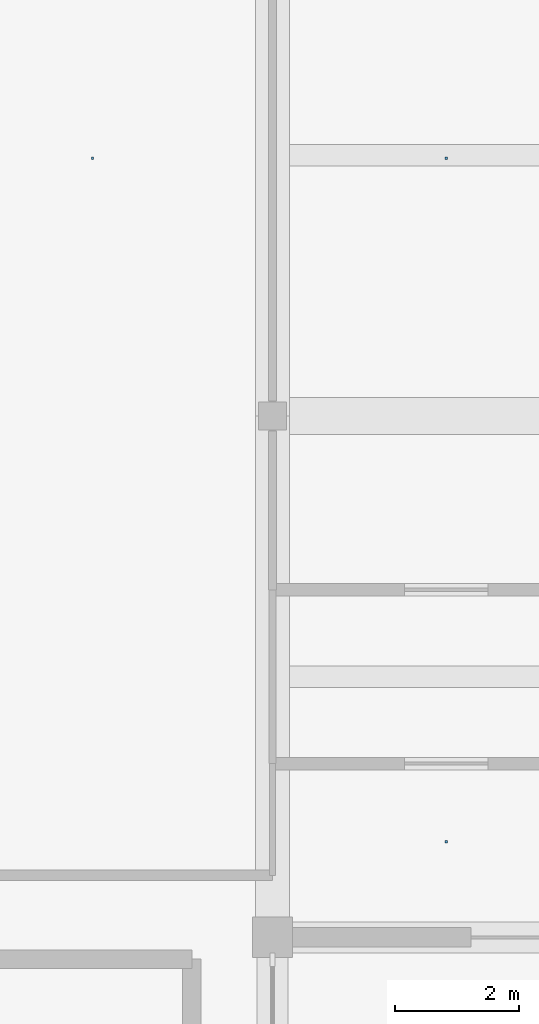
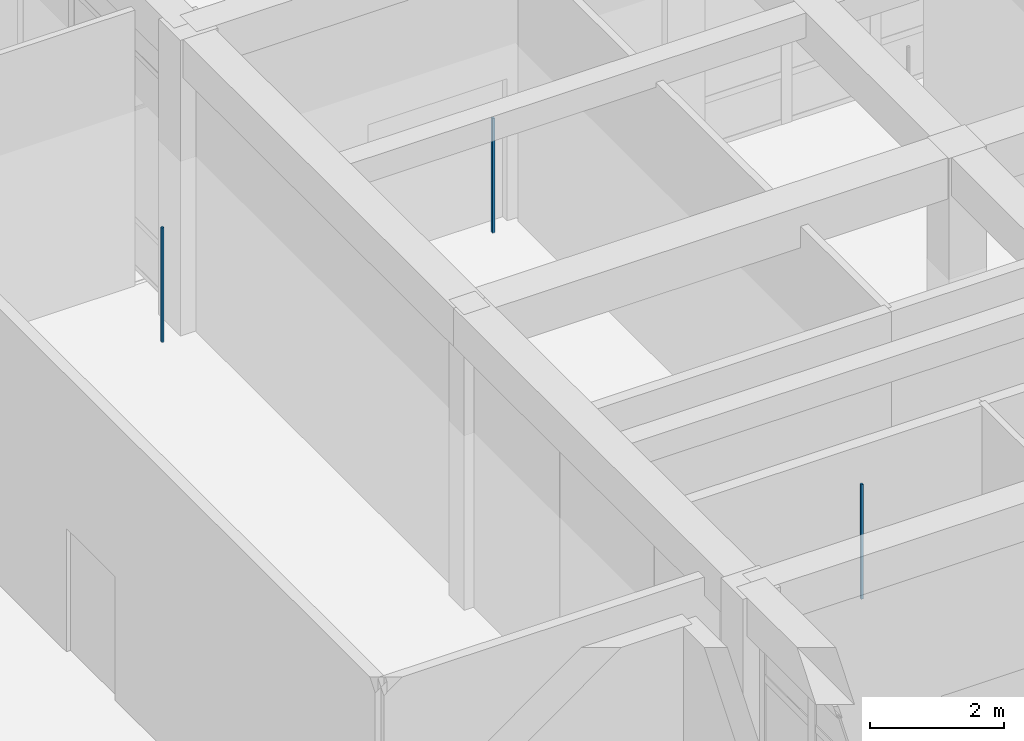
# One storey, part 92 of 167: 3 discrete accessories.
"""IFC4 building model written with IfcOpenShell, lengths in metres."""

from ifc_helpers import new_model, si_unit, direction, frame, origin, origin_2d, place, context, subcontext, project, spatial, rectangle, extrude, material, type_object, element, save


model = new_model("IFC4")

# Units and contexts
model_context = context("Model", 3, precision=1e-05, world=origin(), true_north=direction((0.0, 1.0)))
body_context = subcontext(model_context, "Body", "Model", "MODEL_VIEW")
ifc_project = project(units=[si_unit("LENGTHUNIT", "METRE"), si_unit("AREAUNIT", "SQUARE_METRE"), si_unit("VOLUMEUNIT", "CUBIC_METRE"), si_unit("PLANEANGLEUNIT", "RADIAN"), si_unit("MASSUNIT", "GRAM", prefix="KILO")], contexts=[model_context])

# Site, building, storey
site_placement = place(None, origin())
site = spatial("IfcSite", under=ifc_project, at=site_placement, CompositionType="ELEMENT")
building_placement = place(site_placement, origin())
building = spatial("IfcBuilding", under=site, at=building_placement, Name="Varncliffe General Hospital", CompositionType="ELEMENT")
storey_placement = place(building_placement, origin())
storey = spatial("IfcBuildingStorey", under=building, at=storey_placement, Name="L00", CompositionType="ELEMENT", Elevation=0.0)

# Discrete accessories
ifc_material = material(Name="Powder-coated hospital steel guardrail and handrail", Category="steel")
discrete_accessory_type = type_object("IfcDiscreteAccessoryType", Name="Suspended Ceiling Hanger Bracket CH01", PredefinedType="BRACKET", material=ifc_material)
for number, where, z_axis, x_axis, name in (
    (1, (114.699951171875, 36.550048828125, 3.18994140625), (0.0, 0.0, 1.0), (1.0, 0.0, 0.0), "L00 Suspended Ceiling Hanger 17"),
    (2, (120.39990234375, 36.550048828125, 3.18994140625), (0.0, 0.0, 1.0), (1.0, 0.0, 0.0), "L00 Suspended Ceiling Hanger 77"),
    (3, (120.39990234375, 25.54248046875, 3.18994140625), (0.0, 0.0, 1.0), (1.0, 0.0, 0.0), "L00 Suspended Ceiling Hanger 80"),
):
    element("IfcDiscreteAccessory", number, at=place(storey_placement, frame(where, z_axis=z_axis, x_axis=x_axis)), inside=storey, type_object=discrete_accessory_type, Name=name, PredefinedType="BRACKET", context=body_context, shape_type="SweptSolid", body=[
        extrude(rectangle(XDim=0.0400390625, YDim=0.0400390625, at=origin_2d()), origin(), (0.0, 0.0, 1.0), 2.090087890625),
    ])

save(model, "model.ifc")
